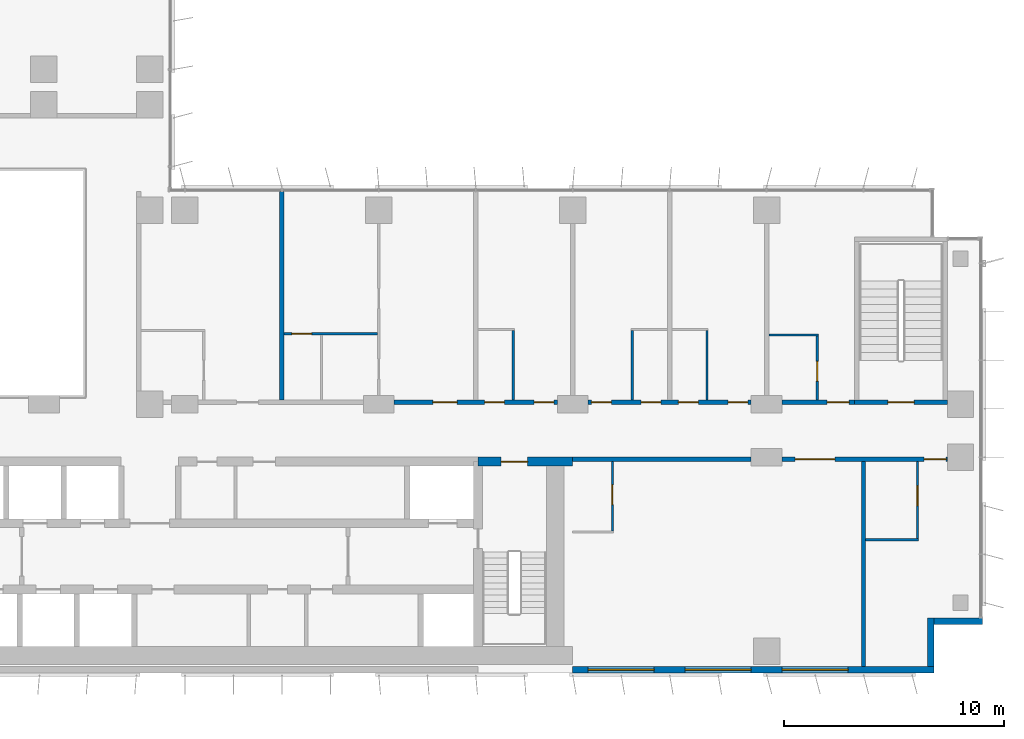
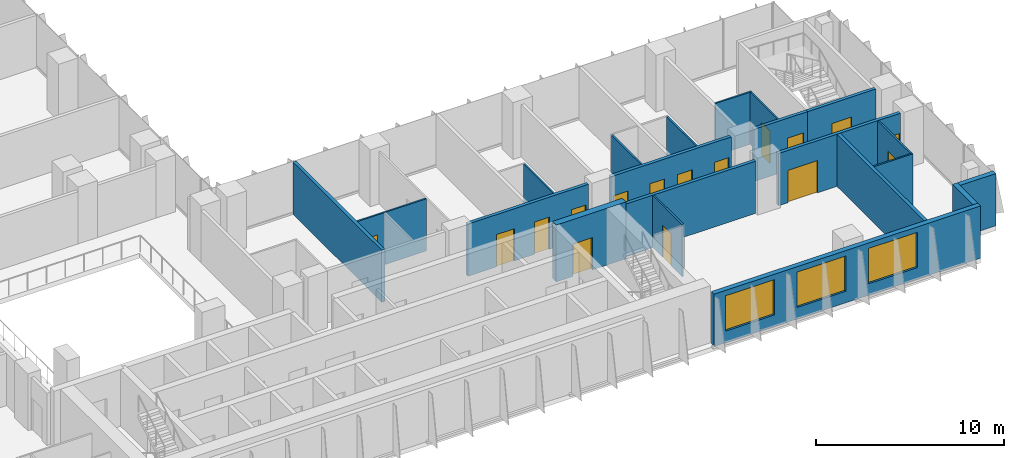
# One storey, part 14 of 22: 21 walls, 16 doors, 3 windows, 19 openings.
"""IFC4 building model written with IfcOpenShell, lengths in metres."""

from ifc_helpers import new_model, si_unit, direction, frame, frame_2d, origin, place, context, subcontext, project, spatial, rectangle, extrude, material, layer, layer_set, type_object, element, fill, save


model = new_model("IFC4")

# Units and contexts
model_context = context("Model", 3, precision=1e-05, world=origin(), true_north=direction((0.0, 1.0)))
body_context = subcontext(model_context, "Body", "Model", "MODEL_VIEW")
ifc_project = project(units=[si_unit("LENGTHUNIT", "METRE"), si_unit("AREAUNIT", "SQUARE_METRE"), si_unit("VOLUMEUNIT", "CUBIC_METRE"), si_unit("PLANEANGLEUNIT", "RADIAN"), si_unit("MASSUNIT", "GRAM", prefix="KILO")], contexts=[model_context])

# Site, building, storey
site_placement = place(None, origin())
site = spatial("IfcSite", under=ifc_project, at=site_placement, CompositionType="ELEMENT")
building_placement = place(site_placement, origin())
building = spatial("IfcBuilding", under=site, at=building_placement, Name="Kemantara Hotel Tower", CompositionType="ELEMENT")
storey_placement = place(building_placement, frame((0.0, 0.0, 145.699951171875)))
storey = spatial("IfcBuildingStorey", under=building, at=storey_placement, Name="L35", CompositionType="ELEMENT", Elevation=145.699951171875)

# Wall, openings, windows
ifc_material_1 = material(Name="Bronze anodised aluminium cladding on insulated steel stud wall", Category="steel")
ifc_layer_1 = layer(ifc_material_1, 0.300048828125)
ifc_layer_set_1 = layer_set([ifc_layer_1], Name="Bronze anodised aluminium cladding on insulated steel stud wall")
wall_type_1 = type_object("IfcWallType", Name="BRONZE METAL-CLAD EXTERNAL WALL 300", PredefinedType="STANDARD", material=ifc_layer_set_1)
wall_1_placement = place(storey_placement, frame((45.0, 0.14990234375, 0.0), z_axis=(0.0, 0.0, 1.0), x_axis=(1.0, 0.0, 0.0)))
wall_1 = element("IfcWall", 1, at=wall_1_placement, inside=storey, type_object=wall_type_1, Name="EXTERNAL WALL L35 T2-R07-3", PredefinedType="STANDARD", context=body_context, shape_type="SweptSolid", body=[
    extrude(rectangle(XDim=16.39990234375, YDim=0.300048828125, at=frame_2d((8.199951171875, 0.0))), origin(), (0.0, 0.0, 1.0), 3.400146484375),
])
opening_1_placement = place(wall_1_placement, frame((0.699951171875, 0.0, 0.75)))
opening_1 = element("IfcOpeningElement", 2, at=opening_1_placement, cuts=wall_1, Name="Opening W1", PredefinedType="OPENING", context=body_context, shape_type="SweptSolid", body=[
    extrude(rectangle(XDim=3.0, YDim=2.300048828125, at=frame_2d((1.5, 1.14990234375))), frame((0.0, 0.159912109375, 0.0), z_axis=(0.0, -1.0, 0.0), x_axis=(1.0, 0.0, 0.0)), (0.0, 0.0, 1.0), 0.320068359375),
])
opening_2_placement = place(wall_1_placement, frame((5.10009765625, 0.0, 0.75)))
opening_2 = element("IfcOpeningElement", 3, at=opening_2_placement, cuts=wall_1, Name="Opening W1", PredefinedType="OPENING", context=body_context, shape_type="SweptSolid", body=[
    extrude(rectangle(XDim=3.0, YDim=2.300048828125, at=frame_2d((1.5, 1.14990234375))), frame((0.0, 0.159912109375, 0.0), z_axis=(0.0, -1.0, 0.0), x_axis=(1.0, 0.0, 0.0)), (0.0, 0.0, 1.0), 0.320068359375),
])
opening_3_placement = place(wall_1_placement, frame((9.5, 0.0, 0.75)))
opening_3 = element("IfcOpeningElement", 4, at=opening_3_placement, cuts=wall_1, Name="Opening W1", PredefinedType="OPENING", context=body_context, shape_type="SweptSolid", body=[
    extrude(rectangle(XDim=3.0, YDim=2.300048828125, at=frame_2d((1.5, 1.14990234375))), frame((0.0, 0.159912109375, 0.0), z_axis=(0.0, -1.0, 0.0), x_axis=(1.0, 0.0, 0.0)), (0.0, 0.0, 1.0), 0.320068359375),
])
ifc_material_2 = material(Name="Low-E tinted double insulated glass in bronze anodised aluminium frame", Category="aluminium")
window_type = type_object("IfcWindowType", Name="CHICAGO WINDOW, TRIPLE PANEL 3000x2300", PartitioningType="TRIPLE_PANEL_VERTICAL", PredefinedType="WINDOW", material=ifc_material_2)
window_1_placement = place(opening_1_placement, origin())
window_1 = element("IfcWindow", 5, at=window_1_placement, inside=storey, type_object=window_type, Name="CHICAGO WINDOW L35 T2-R07-450", OverallHeight=2.300048828125, OverallWidth=3.0, PartitioningType="SINGLE_PANEL", PredefinedType="WINDOW", context=body_context, shape_type="SweptSolid", body=[
    extrude(rectangle(XDim=3.0, YDim=2.300048828125, at=frame_2d((1.5, 1.14990234375))), frame((0.0, 0.030029296875, 0.0), z_axis=(0.0, -1.0, 0.0), x_axis=(1.0, 0.0, 0.0)), (0.0, 0.0, 1.0), 0.06005859375),
])
fill(opening_1, window_1)
window_2_placement = place(opening_2_placement, origin())
window_2 = element("IfcWindow", 6, at=window_2_placement, inside=storey, type_object=window_type, Name="CHICAGO WINDOW L35 T2-R07-494", OverallHeight=2.300048828125, OverallWidth=3.0, PartitioningType="SINGLE_PANEL", PredefinedType="WINDOW", context=body_context, shape_type="SweptSolid", body=[
    extrude(rectangle(XDim=3.0, YDim=2.300048828125, at=frame_2d((1.5, 1.14990234375))), frame((0.0, 0.030029296875, 0.0), z_axis=(0.0, -1.0, 0.0), x_axis=(1.0, 0.0, 0.0)), (0.0, 0.0, 1.0), 0.06005859375),
])
fill(opening_2, window_2)
window_3_placement = place(opening_3_placement, origin())
window_3 = element("IfcWindow", 7, at=window_3_placement, inside=storey, type_object=window_type, Name="CHICAGO WINDOW L35 T2-R07-538", OverallHeight=2.300048828125, OverallWidth=3.0, PartitioningType="SINGLE_PANEL", PredefinedType="WINDOW", context=body_context, shape_type="SweptSolid", body=[
    extrude(rectangle(XDim=3.0, YDim=2.300048828125, at=frame_2d((1.5, 1.14990234375))), frame((0.0, 0.030029296875, 0.0), z_axis=(0.0, -1.0, 0.0), x_axis=(1.0, 0.0, 0.0)), (0.0, 0.0, 1.0), 0.06005859375),
])
fill(opening_3, window_3)

# Walls
wall_2_placement = place(storey_placement, frame((61.25, 0.300048828125, 0.0), z_axis=(0.0, 0.0, 1.0), x_axis=(0.0, 1.0, 0.0)))
element("IfcWall", 8, at=wall_2_placement, inside=storey, type_object=wall_type_1, Name="EXTERNAL WALL L35 T2-R08", PredefinedType="STANDARD", context=body_context, shape_type="SweptSolid", body=[
    extrude(rectangle(XDim=2.199951171875, YDim=0.300048828125, at=frame_2d((1.10009765625, 0.0))), origin(), (0.0, 0.0, 1.0), 3.400146484375),
])
wall_3_placement = place(storey_placement, frame((61.39990234375, 2.35009765625, 0.0), z_axis=(0.0, 0.0, 1.0), x_axis=(1.0, 0.0, 0.0)))
element("IfcWall", 9, at=wall_3_placement, inside=storey, type_object=wall_type_1, Name="EXTERNAL WALL L35 T2-R09", PredefinedType="STANDARD", context=body_context, shape_type="SweptSolid", body=[
    extrude(rectangle(XDim=2.2001953125, YDim=0.300048828125, at=frame_2d((1.10009765625, 0.0))), origin(), (0.0, 0.0, 1.0), 3.400146484375),
])

# Wall, opening, door
ifc_material_3 = material(Name="Concrete fc 60 MPa", Category="concrete")
ifc_layer_2 = layer(ifc_material_3, 0.39990234375)
ifc_layer_set_2 = layer_set([ifc_layer_2], Name="Concrete fc 60 MPa")
wall_type_2 = type_object("IfcWallType", Name="CORE WALL 400 FC60", PredefinedType="SHEAR", material=ifc_layer_set_2)
wall_4_placement = place(storey_placement, frame((40.699951171875, 9.60009765625, 0.0), z_axis=(0.0, 0.0, 1.0), x_axis=(1.0, 0.0, 0.0)))
wall_4 = element("IfcWall", 10, at=wall_4_placement, inside=storey, type_object=wall_type_2, Name="CORE WALL CW-N2", PredefinedType="SHEAR", context=body_context, shape_type="SweptSolid", body=[
    extrude(rectangle(XDim=4.300048828125, YDim=0.39990234375, at=frame_2d((2.14990234375, 0.0))), origin(), (0.0, 0.0, 1.0), 3.699951171875),
])
opening_4_placement = place(wall_4_placement, frame((1.050048828125, 0.0, 0.0)))
opening_4 = element("IfcOpeningElement", 11, at=opening_4_placement, cuts=wall_4, Name="Opening C22-ST2-C", PredefinedType="OPENING", context=body_context, shape_type="SweptSolid", body=[
    extrude(rectangle(XDim=1.199951171875, YDim=2.10009765625, at=frame_2d((0.60009765625, 1.050048828125))), frame((0.0, 0.2099609375, 0.0), z_axis=(0.0, -1.0, 0.0), x_axis=(1.0, 0.0, 0.0)), (0.0, 0.0, 1.0), 0.419921875),
])
ifc_material_4 = material(Name="Steel fire door", Category="steel")
door_type_1 = type_object("IfcDoorType", Name="Fire door FD90 1200 x 2100", OperationType="NOTDEFINED", PredefinedType="DOOR", material=ifc_material_4)
door_1_placement = place(opening_4_placement, frame((1.199951171875, 0.0, 0.0), z_axis=(0.0, 0.0, 1.0), x_axis=(-1.0, 0.0, 0.0)))
door_1 = element("IfcDoor", 12, at=door_1_placement, inside=storey, type_object=door_type_1, Name="Stair ST2 door to corridor", OperationType="SINGLE_SWING_RIGHT", OverallHeight=2.10009765625, OverallWidth=1.199951171875, PredefinedType="DOOR", context=body_context, shape_type="SweptSolid", body=[
    extrude(rectangle(XDim=1.199951171875, YDim=2.10009765625, at=frame_2d((0.60009765625, 1.050048828125))), frame((0.0, 0.02490234375, 0.0), z_axis=(0.0, -1.0, 0.0), x_axis=(1.0, 0.0, 0.0)), (0.0, 0.0, 1.0), 0.050048828125),
])
fill(opening_4, door_1)

# Wall
ifc_material_5 = material(Name="Gypsum board partition, steel studs and mineral wool, 200 mm", Category="steel")
ifc_layer_3 = layer(ifc_material_5, 0.199951171875)
ifc_layer_set_3 = layer_set([ifc_layer_3], Name="Gypsum board partition, steel studs and mineral wool, 200 mm")
wall_type_3 = type_object("IfcWallType", Name="CORRIDOR WALL 200", PredefinedType="PARTITIONING", material=ifc_layer_set_3)
wall_5_placement = place(storey_placement, frame((45.0, 9.699951171875, 0.0), z_axis=(0.0, 0.0, 1.0), x_axis=(1.0, 0.0, 0.0)))
element("IfcWall", 13, at=wall_5_placement, inside=storey, type_object=wall_type_3, Name="CORRIDOR WALL 200 001", PredefinedType="PARTITIONING", context=body_context, shape_type="SweptSolid", body=[
    extrude(rectangle(XDim=8.099853515625, YDim=0.199951171875, at=frame_2d((4.0498046875, 0.0))), origin(), (0.0, 0.0, 1.0), 3.400146484375),
])

# Wall, openings, doors
wall_6_placement = place(storey_placement, frame((62.0, 9.699951171875, 0.0), z_axis=(0.0, 0.0, 1.0), x_axis=(-1.0, 0.0, 0.0)))
wall_6 = element("IfcWall", 14, at=wall_6_placement, inside=storey, type_object=wall_type_3, Name="CORRIDOR WALL 200 002", PredefinedType="PARTITIONING", context=body_context, shape_type="SweptSolid", body=[
    extrude(rectangle(XDim=7.5, YDim=0.199951171875, at=frame_2d((3.75, 0.0))), origin(), (0.0, 0.0, 1.0), 3.400146484375),
])
opening_5_placement = place(wall_6_placement, frame((5.099853515625, 0.0, 0.0)))
opening_5 = element("IfcOpeningElement", 15, at=opening_5_placement, cuts=wall_6, Name="Opening F16-001", PredefinedType="OPENING", context=body_context, shape_type="SweptSolid", body=[
    extrude(rectangle(XDim=1.800048828125, YDim=2.10009765625, at=frame_2d((0.89990234375, 1.050048828125))), frame((0.0, 0.10986328125, 0.0), z_axis=(0.0, -1.0, 0.0), x_axis=(1.0, 0.0, 0.0)), (0.0, 0.0, 1.0), 0.219970703125),
])
opening_6_placement = place(wall_6_placement, frame((0.0498046875, 0.0, 0.0)))
opening_6 = element("IfcOpeningElement", 16, at=opening_6_placement, cuts=wall_6, Name="Opening F16-003", PredefinedType="OPENING", context=body_context, shape_type="SweptSolid", body=[
    extrude(rectangle(XDim=1.0, YDim=2.10009765625, at=frame_2d((0.5, 1.050048828125))), frame((0.0, 0.10986328125, 0.0), z_axis=(0.0, -1.0, 0.0), x_axis=(1.0, 0.0, 0.0)), (0.0, 0.0, 1.0), 0.219970703125),
])
ifc_material_6 = material(Name="Hardwood veneer door leaf with steel frame", Category="steel")
door_type_2 = type_object("IfcDoorType", Name="GUEST ROOM DOOR 1000 X 2100 FD30S", OperationType="NOTDEFINED", PredefinedType="DOOR", material=ifc_material_6)
door_2_placement = place(opening_6_placement, origin())
door_2 = element("IfcDoor", 17, at=door_2_placement, inside=storey, type_object=door_type_2, Name="GUEST ROOM DOOR F16-003", OperationType="SINGLE_SWING_LEFT", OverallHeight=2.10009765625, OverallWidth=1.0, PredefinedType="DOOR", context=body_context, shape_type="SweptSolid", body=[
    extrude(rectangle(XDim=1.0, YDim=2.10009765625, at=frame_2d((0.5, 1.050048828125))), frame((0.0, 0.02490234375, 0.0), z_axis=(0.0, -1.0, 0.0), x_axis=(1.0, 0.0, 0.0)), (0.0, 0.0, 1.0), 0.050048828125),
])
fill(opening_6, door_2)
door_type_3 = type_object("IfcDoorType", Name="GUEST ROOM DOOR 1800 X 2100 FD30S", OperationType="NOTDEFINED", PredefinedType="DOOR", material=ifc_material_6)
door_3_placement = place(opening_5_placement, origin())
door_3 = element("IfcDoor", 18, at=door_3_placement, inside=storey, type_object=door_type_3, Name="GUEST ROOM DOOR F16-001", OperationType="DOUBLE_DOOR_SINGLE_SWING", OverallHeight=2.10009765625, OverallWidth=1.800048828125, PredefinedType="DOOR", context=body_context, shape_type="SweptSolid", body=[
    extrude(rectangle(XDim=1.800048828125, YDim=2.10009765625, at=frame_2d((0.89990234375, 1.050048828125))), frame((0.0, 0.02490234375, 0.0), z_axis=(0.0, -1.0, 0.0), x_axis=(1.0, 0.0, 0.0)), (0.0, 0.0, 1.0), 0.050048828125),
])
fill(opening_5, door_3)

wall_7_placement = place(storey_placement, frame((36.900146484375, 12.300048828125, 0.0), z_axis=(0.0, 0.0, 1.0), x_axis=(1.0, 0.0, 0.0)))
wall_7 = element("IfcWall", 19, at=wall_7_placement, inside=storey, type_object=wall_type_3, Name="CORRIDOR WALL 200 006", PredefinedType="PARTITIONING", context=body_context, shape_type="SweptSolid", body=[
    extrude(rectangle(XDim=7.399658203125, YDim=0.199951171875, at=frame_2d((3.69970703125, 0.0))), origin(), (0.0, 0.0, 1.0), 3.400146484375),
])
opening_7_placement = place(wall_7_placement, frame((1.75, 0.0, 0.0)))
opening_7 = element("IfcOpeningElement", 20, at=opening_7_placement, cuts=wall_7, Name="Opening F16-007", PredefinedType="OPENING", context=body_context, shape_type="SweptSolid", body=[
    extrude(rectangle(XDim=1.10009765625, YDim=2.10009765625, at=frame_2d((0.550048828125, 1.050048828125))), frame((0.0, 0.10986328125, 0.0), z_axis=(0.0, -1.0, 0.0), x_axis=(1.0, 0.0, 0.0)), (0.0, 0.0, 1.0), 0.219970703125),
])
opening_8_placement = place(wall_7_placement, frame((6.349853515625, 0.0, 0.0)))
opening_8 = element("IfcOpeningElement", 21, at=opening_8_placement, cuts=wall_7, Name="Opening F16-011", PredefinedType="OPENING", context=body_context, shape_type="SweptSolid", body=[
    extrude(rectangle(XDim=0.89990234375, YDim=2.10009765625, at=frame_2d((0.449951171875, 1.050048828125))), frame((0.0, 0.10986328125, 0.0), z_axis=(0.0, -1.0, 0.0), x_axis=(1.0, 0.0, 0.0)), (0.0, 0.0, 1.0), 0.219970703125),
])
opening_9_placement = place(wall_7_placement, frame((4.099853515625, 0.0, 0.0)))
opening_9 = element("IfcOpeningElement", 22, at=opening_9_placement, cuts=wall_7, Name="Opening F16-012", PredefinedType="OPENING", context=body_context, shape_type="SweptSolid", body=[
    extrude(rectangle(XDim=0.89990234375, YDim=2.10009765625, at=frame_2d((0.449951171875, 1.050048828125))), frame((0.0, 0.10986328125, 0.0), z_axis=(0.0, -1.0, 0.0), x_axis=(1.0, 0.0, 0.0)), (0.0, 0.0, 1.0), 0.219970703125),
])
ifc_material_7 = material(Name="Steel door leaf with steel frame", Category="steel")
door_type_4 = type_object("IfcDoorType", Name="SERVICE ROOM DOOR 900 X 2100 FD60", OperationType="NOTDEFINED", PredefinedType="DOOR", material=ifc_material_7)
door_4_placement = place(opening_8_placement, origin())
door_4 = element("IfcDoor", 23, at=door_4_placement, inside=storey, type_object=door_type_4, Name="SERVICE ROOM DOOR F16-011", OperationType="SINGLE_SWING_RIGHT", OverallHeight=2.10009765625, OverallWidth=0.89990234375, PredefinedType="DOOR", context=body_context, shape_type="SweptSolid", body=[
    extrude(rectangle(XDim=0.89990234375, YDim=2.10009765625, at=frame_2d((0.449951171875, 1.050048828125))), frame((0.0, 0.02490234375, 0.0), z_axis=(0.0, -1.0, 0.0), x_axis=(1.0, 0.0, 0.0)), (0.0, 0.0, 1.0), 0.050048828125),
])
fill(opening_8, door_4)
door_5_placement = place(opening_9_placement, origin())
door_5 = element("IfcDoor", 24, at=door_5_placement, inside=storey, type_object=door_type_4, Name="SERVICE ROOM DOOR F16-012", OperationType="SINGLE_SWING_LEFT", OverallHeight=2.10009765625, OverallWidth=0.89990234375, PredefinedType="DOOR", context=body_context, shape_type="SweptSolid", body=[
    extrude(rectangle(XDim=0.89990234375, YDim=2.10009765625, at=frame_2d((0.449951171875, 1.050048828125))), frame((0.0, 0.02490234375, 0.0), z_axis=(0.0, -1.0, 0.0), x_axis=(1.0, 0.0, 0.0)), (0.0, 0.0, 1.0), 0.050048828125),
])
fill(opening_9, door_5)
door_type_5 = type_object("IfcDoorType", Name="SUITE ENTRANCE DOOR 1100 X 2100 FD30S", OperationType="NOTDEFINED", PredefinedType="DOOR", material=ifc_material_6)
door_6_placement = place(opening_7_placement, origin())
door_6 = element("IfcDoor", 25, at=door_6_placement, inside=storey, type_object=door_type_5, Name="SUITE ENTRANCE DOOR F16-007", OperationType="SINGLE_SWING_RIGHT", OverallHeight=2.10009765625, OverallWidth=1.10009765625, PredefinedType="DOOR", context=body_context, shape_type="SweptSolid", body=[
    extrude(rectangle(XDim=1.10009765625, YDim=2.10009765625, at=frame_2d((0.550048828125, 1.050048828125))), frame((0.0, 0.02490234375, 0.0), z_axis=(0.0, -1.0, 0.0), x_axis=(1.0, 0.0, 0.0)), (0.0, 0.0, 1.0), 0.050048828125),
])
fill(opening_7, door_6)

wall_8_placement = place(storey_placement, frame((45.7001953125, 12.300048828125, 0.0), z_axis=(0.0, 0.0, 1.0), x_axis=(1.0, 0.0, 0.0)))
wall_8 = element("IfcWall", 26, at=wall_8_placement, inside=storey, type_object=wall_type_3, Name="CORRIDOR WALL 200 007", PredefinedType="PARTITIONING", context=body_context, shape_type="SweptSolid", body=[
    extrude(rectangle(XDim=7.399658203125, YDim=0.199951171875, at=frame_2d((3.69970703125, 0.0))), origin(), (0.0, 0.0, 1.0), 3.400146484375),
])
opening_10_placement = place(wall_8_placement, frame((0.14990234375, 0.0, 0.0)))
opening_10 = element("IfcOpeningElement", 27, at=opening_10_placement, cuts=wall_8, Name="Opening F16-013", PredefinedType="OPENING", context=body_context, shape_type="SweptSolid", body=[
    extrude(rectangle(XDim=0.89990234375, YDim=2.10009765625, at=frame_2d((0.449951171875, 1.050048828125))), frame((0.0, 0.10986328125, 0.0), z_axis=(0.0, -1.0, 0.0), x_axis=(1.0, 0.0, 0.0)), (0.0, 0.0, 1.0), 0.219970703125),
])
opening_11_placement = place(wall_8_placement, frame((2.39990234375, 0.0, 0.0)))
opening_11 = element("IfcOpeningElement", 28, at=opening_11_placement, cuts=wall_8, Name="Opening F16-014", PredefinedType="OPENING", context=body_context, shape_type="SweptSolid", body=[
    extrude(rectangle(XDim=0.89990234375, YDim=2.10009765625, at=frame_2d((0.449951171875, 1.050048828125))), frame((0.0, 0.10986328125, 0.0), z_axis=(0.0, -1.0, 0.0), x_axis=(1.0, 0.0, 0.0)), (0.0, 0.0, 1.0), 0.219970703125),
])
opening_12_placement = place(wall_8_placement, frame((6.349853515625, 0.0, 0.0)))
opening_12 = element("IfcOpeningElement", 29, at=opening_12_placement, cuts=wall_8, Name="Opening F16-015", PredefinedType="OPENING", context=body_context, shape_type="SweptSolid", body=[
    extrude(rectangle(XDim=0.89990234375, YDim=2.10009765625, at=frame_2d((0.449951171875, 1.050048828125))), frame((0.0, 0.10986328125, 0.0), z_axis=(0.0, -1.0, 0.0), x_axis=(1.0, 0.0, 0.0)), (0.0, 0.0, 1.0), 0.219970703125),
])
opening_13_placement = place(wall_8_placement, frame((4.099853515625, 0.0, 0.0)))
opening_13 = element("IfcOpeningElement", 30, at=opening_13_placement, cuts=wall_8, Name="Opening F16-016", PredefinedType="OPENING", context=body_context, shape_type="SweptSolid", body=[
    extrude(rectangle(XDim=0.89990234375, YDim=2.10009765625, at=frame_2d((0.449951171875, 1.050048828125))), frame((0.0, 0.10986328125, 0.0), z_axis=(0.0, -1.0, 0.0), x_axis=(1.0, 0.0, 0.0)), (0.0, 0.0, 1.0), 0.219970703125),
])
door_7_placement = place(opening_10_placement, origin())
door_7 = element("IfcDoor", 31, at=door_7_placement, inside=storey, type_object=door_type_4, Name="SERVICE ROOM DOOR F16-013", OperationType="SINGLE_SWING_LEFT", OverallHeight=2.10009765625, OverallWidth=0.89990234375, PredefinedType="DOOR", context=body_context, shape_type="SweptSolid", body=[
    extrude(rectangle(XDim=0.89990234375, YDim=2.10009765625, at=frame_2d((0.449951171875, 1.050048828125))), frame((0.0, 0.02490234375, 0.0), z_axis=(0.0, -1.0, 0.0), x_axis=(1.0, 0.0, 0.0)), (0.0, 0.0, 1.0), 0.050048828125),
])
fill(opening_10, door_7)
door_8_placement = place(opening_11_placement, origin())
door_8 = element("IfcDoor", 32, at=door_8_placement, inside=storey, type_object=door_type_4, Name="SERVICE ROOM DOOR F16-014", OperationType="SINGLE_SWING_RIGHT", OverallHeight=2.10009765625, OverallWidth=0.89990234375, PredefinedType="DOOR", context=body_context, shape_type="SweptSolid", body=[
    extrude(rectangle(XDim=0.89990234375, YDim=2.10009765625, at=frame_2d((0.449951171875, 1.050048828125))), frame((0.0, 0.02490234375, 0.0), z_axis=(0.0, -1.0, 0.0), x_axis=(1.0, 0.0, 0.0)), (0.0, 0.0, 1.0), 0.050048828125),
])
fill(opening_11, door_8)
door_9_placement = place(opening_12_placement, origin())
door_9 = element("IfcDoor", 33, at=door_9_placement, inside=storey, type_object=door_type_4, Name="SERVICE ROOM DOOR F16-015", OperationType="SINGLE_SWING_RIGHT", OverallHeight=2.10009765625, OverallWidth=0.89990234375, PredefinedType="DOOR", context=body_context, shape_type="SweptSolid", body=[
    extrude(rectangle(XDim=0.89990234375, YDim=2.10009765625, at=frame_2d((0.449951171875, 1.050048828125))), frame((0.0, 0.02490234375, 0.0), z_axis=(0.0, -1.0, 0.0), x_axis=(1.0, 0.0, 0.0)), (0.0, 0.0, 1.0), 0.050048828125),
])
fill(opening_12, door_9)
door_10_placement = place(opening_13_placement, origin())
door_10 = element("IfcDoor", 34, at=door_10_placement, inside=storey, type_object=door_type_4, Name="SERVICE ROOM DOOR F16-016", OperationType="SINGLE_SWING_LEFT", OverallHeight=2.10009765625, OverallWidth=0.89990234375, PredefinedType="DOOR", context=body_context, shape_type="SweptSolid", body=[
    extrude(rectangle(XDim=0.89990234375, YDim=2.10009765625, at=frame_2d((0.449951171875, 1.050048828125))), frame((0.0, 0.02490234375, 0.0), z_axis=(0.0, -1.0, 0.0), x_axis=(1.0, 0.0, 0.0)), (0.0, 0.0, 1.0), 0.050048828125),
])
fill(opening_13, door_10)

# Wall, opening, door
wall_9_placement = place(storey_placement, frame((54.5, 12.300048828125, 0.0), z_axis=(0.0, 0.0, 1.0), x_axis=(1.0, 0.0, 0.0)))
wall_9 = element("IfcWall", 35, at=wall_9_placement, inside=storey, type_object=wall_type_3, Name="CORRIDOR WALL 200 008", PredefinedType="PARTITIONING", context=body_context, shape_type="SweptSolid", body=[
    extrude(rectangle(XDim=3.300048828125, YDim=0.199951171875, at=frame_2d((1.64990234375, 0.0))), origin(), (0.0, 0.0, 1.0), 3.400146484375),
])
opening_14_placement = place(wall_9_placement, frame((2.0498046875, 0.0, 0.0)))
opening_14 = element("IfcOpeningElement", 36, at=opening_14_placement, cuts=wall_9, Name="Opening F16-017", PredefinedType="OPENING", context=body_context, shape_type="SweptSolid", body=[
    extrude(rectangle(XDim=1.0, YDim=2.10009765625, at=frame_2d((0.5, 1.050048828125))), frame((0.0, 0.10986328125, 0.0), z_axis=(0.0, -1.0, 0.0), x_axis=(1.0, 0.0, 0.0)), (0.0, 0.0, 1.0), 0.219970703125),
])
door_11_placement = place(opening_14_placement, origin())
door_11 = element("IfcDoor", 37, at=door_11_placement, inside=storey, type_object=door_type_2, Name="GUEST ROOM DOOR F16-017", OperationType="SINGLE_SWING_RIGHT", OverallHeight=2.10009765625, OverallWidth=1.0, PredefinedType="DOOR", context=body_context, shape_type="SweptSolid", body=[
    extrude(rectangle(XDim=1.0, YDim=2.10009765625, at=frame_2d((0.5, 1.050048828125))), frame((0.0, 0.02490234375, 0.0), z_axis=(0.0, -1.0, 0.0), x_axis=(1.0, 0.0, 0.0)), (0.0, 0.0, 1.0), 0.050048828125),
])
fill(opening_14, door_11)

ifc_material_8 = material(Name="Concrete fc 40 MPa", Category="concrete")
ifc_layer_4 = layer(ifc_material_8, 0.199951171875)
ifc_layer_set_4 = layer_set([ifc_layer_4], Name="Concrete fc 40 MPa")
wall_type_4 = type_object("IfcWallType", Name="Concrete stair wall 200 mm", PredefinedType="SHEAR", material=ifc_layer_set_4)
wall_10_placement = place(storey_placement, frame((57.800048828125, 12.300048828125, 0.0), z_axis=(0.0, 0.0, 1.0), x_axis=(1.0, 0.0, 0.0)))
wall_10 = element("IfcWall", 38, at=wall_10_placement, inside=storey, type_object=wall_type_4, Name="Stair ST3 enclosure wall with door", PredefinedType="SHEAR", context=body_context, shape_type="SweptSolid", body=[
    extrude(rectangle(XDim=4.199951171875, YDim=0.199951171875, at=frame_2d((2.10009765625, 0.0))), origin(), (0.0, 0.0, 1.0), 3.400146484375),
])
opening_15_placement = place(wall_10_placement, frame((1.5, 0.0, 0.0)))
opening_15 = element("IfcOpeningElement", 39, at=opening_15_placement, cuts=wall_10, Name="Opening ST3-C", PredefinedType="OPENING", context=body_context, shape_type="SweptSolid", body=[
    extrude(rectangle(XDim=1.199951171875, YDim=2.10009765625, at=frame_2d((0.60009765625, 1.050048828125))), frame((0.0, 0.10986328125, 0.0), z_axis=(0.0, -1.0, 0.0), x_axis=(1.0, 0.0, 0.0)), (0.0, 0.0, 1.0), 0.219970703125),
])
door_12_placement = place(opening_15_placement, origin())
door_12 = element("IfcDoor", 40, at=door_12_placement, inside=storey, type_object=door_type_1, Name="Stair ST3 door", OperationType="SINGLE_SWING_RIGHT", OverallHeight=2.10009765625, OverallWidth=1.199951171875, PredefinedType="DOOR", context=body_context, shape_type="SweptSolid", body=[
    extrude(rectangle(XDim=1.199951171875, YDim=2.10009765625, at=frame_2d((0.60009765625, 1.050048828125))), frame((0.0, 0.02490234375, 0.0), z_axis=(0.0, -1.0, 0.0), x_axis=(1.0, 0.0, 0.0)), (0.0, 0.0, 1.0), 0.050048828125),
])
fill(opening_15, door_12)

# Walls
ifc_layer_5 = layer(ifc_material_5, 0.199951171875)
ifc_layer_set_5 = layer_set([ifc_layer_5], Name="Gypsum board partition, steel studs and mineral wool, 200 mm")
wall_type_5 = type_object("IfcWallType", Name="GUEST ROOM PARTY WALL 200", PredefinedType="PARTITIONING", material=ifc_layer_set_5)
wall_11_placement = place(storey_placement, frame((58.199951171875, 0.31005859375, 0.0), z_axis=(0.0, 0.0, 1.0), x_axis=(0.0, 1.0, 0.0)))
element("IfcWall", 41, at=wall_11_placement, inside=storey, type_object=wall_type_5, Name="GUEST ROOM PARTY WALL 200 003", PredefinedType="PARTITIONING", context=body_context, shape_type="SweptSolid", body=[
    extrude(rectangle(XDim=9.2900390625, YDim=0.199951171875, at=frame_2d((4.64501953125, 0.0))), origin(), (0.0, 0.0, 1.0), 3.400146484375),
])
wall_12_placement = place(storey_placement, frame((31.800048828125, 12.39990234375, 0.0), z_axis=(0.0, 0.0, 1.0), x_axis=(0.0, 1.0, 0.0)))
element("IfcWall", 42, at=wall_12_placement, inside=storey, type_object=wall_type_5, Name="GUEST ROOM PARTY WALL 200 011", PredefinedType="PARTITIONING", context=body_context, shape_type="SweptSolid", body=[
    extrude(rectangle(XDim=9.47021484375, YDim=0.199951171875, at=frame_2d((4.735107421875, 0.0))), origin(), (0.0, 0.0, 1.0), 3.400146484375),
])

# Wall, opening, door
ifc_material_9 = material(Name="Gypsum board partition on steel studs, 100 mm", Category="steel")
ifc_layer_6 = layer(ifc_material_9, 0.10009765625)
ifc_layer_set_6 = layer_set([ifc_layer_6], Name="Gypsum board partition on steel studs, 100 mm")
wall_type_6 = type_object("IfcWallType", Name="ROOM PARTITION 100", PredefinedType="PARTITIONING", material=ifc_layer_set_6)
wall_13_placement = place(storey_placement, frame((46.800048828125, 6.449951171875, 0.0), z_axis=(0.0, 0.0, 1.0), x_axis=(0.0, 1.0, 0.0)))
wall_13 = element("IfcWall", 43, at=wall_13_placement, inside=storey, type_object=wall_type_6, Name="ROOM PARTITION 100 046", PredefinedType="PARTITIONING", context=body_context, shape_type="SweptSolid", body=[
    extrude(rectangle(XDim=3.150146484375, YDim=0.10009765625, at=frame_2d((1.5751953125, 0.0))), origin(), (0.0, 0.0, 1.0), 3.400146484375),
])
opening_16_placement = place(wall_13_placement, frame((1.199951171875, 0.0, 0.0)))
opening_16 = element("IfcOpeningElement", 44, at=opening_16_placement, cuts=wall_13, Name="Opening F16-002", PredefinedType="OPENING", context=body_context, shape_type="SweptSolid", body=[
    extrude(rectangle(XDim=0.89990234375, YDim=2.10009765625, at=frame_2d((0.449951171875, 1.050048828125))), frame((0.0, 0.06005859375, 0.0), z_axis=(0.0, -1.0, 0.0), x_axis=(1.0, 0.0, 0.0)), (0.0, 0.0, 1.0), 0.1201171875),
])
door_type_6 = type_object("IfcDoorType", Name="PANTRY DOOR 900 X 2100", OperationType="NOTDEFINED", PredefinedType="DOOR", material=ifc_material_6)
door_13_placement = place(opening_16_placement, origin())
door_13 = element("IfcDoor", 45, at=door_13_placement, inside=storey, type_object=door_type_6, Name="PANTRY DOOR F16-002", OperationType="SINGLE_SWING_RIGHT", OverallHeight=2.10009765625, OverallWidth=0.89990234375, PredefinedType="DOOR", context=body_context, shape_type="SweptSolid", body=[
    extrude(rectangle(XDim=0.89990234375, YDim=2.10009765625, at=frame_2d((0.449951171875, 1.050048828125))), frame((0.0, 0.02490234375, 0.0), z_axis=(0.0, -1.0, 0.0), x_axis=(1.0, 0.0, 0.0)), (0.0, 0.0, 1.0), 0.050048828125),
])
fill(opening_16, door_13)

# Wall
wall_14_placement = place(storey_placement, frame((58.300048828125, 6.050048828125, 0.0), z_axis=(0.0, 0.0, 1.0), x_axis=(1.0, 0.0, 0.0)))
element("IfcWall", 46, at=wall_14_placement, inside=storey, type_object=wall_type_6, Name="ROOM PARTITION 100 047", PredefinedType="PARTITIONING", context=body_context, shape_type="SweptSolid", body=[
    extrude(rectangle(XDim=2.39990234375, YDim=0.10009765625, at=frame_2d((1.199951171875, 0.0))), origin(), (0.0, 0.0, 1.0), 3.400146484375),
])

# Wall, opening, door
wall_15_placement = place(storey_placement, frame((60.64990234375, 6.10009765625, 0.0), z_axis=(0.0, 0.0, 1.0), x_axis=(0.0, 1.0, 0.0)))
wall_15 = element("IfcWall", 47, at=wall_15_placement, inside=storey, type_object=wall_type_6, Name="ROOM PARTITION 100 048", PredefinedType="PARTITIONING", context=body_context, shape_type="SweptSolid", body=[
    extrude(rectangle(XDim=3.5, YDim=0.10009765625, at=frame_2d((1.75, 0.0))), origin(), (0.0, 0.0, 1.0), 3.400146484375),
])
opening_17_placement = place(wall_15_placement, frame((1.5, 0.0, 0.0)))
opening_17 = element("IfcOpeningElement", 48, at=opening_17_placement, cuts=wall_15, Name="Opening F16-004", PredefinedType="OPENING", context=body_context, shape_type="SweptSolid", body=[
    extrude(rectangle(XDim=0.89990234375, YDim=2.10009765625, at=frame_2d((0.449951171875, 1.050048828125))), frame((0.0, 0.06005859375, 0.0), z_axis=(0.0, -1.0, 0.0), x_axis=(1.0, 0.0, 0.0)), (0.0, 0.0, 1.0), 0.1201171875),
])
door_type_7 = type_object("IfcDoorType", Name="BATHROOM DOOR 900 X 2100", OperationType="NOTDEFINED", PredefinedType="DOOR", material=ifc_material_6)
door_14_placement = place(opening_17_placement, origin())
door_14 = element("IfcDoor", 49, at=door_14_placement, inside=storey, type_object=door_type_7, Name="BATHROOM DOOR F16-004", OperationType="SINGLE_SWING_RIGHT", OverallHeight=2.10009765625, OverallWidth=0.89990234375, PredefinedType="DOOR", context=body_context, shape_type="SweptSolid", body=[
    extrude(rectangle(XDim=0.89990234375, YDim=2.10009765625, at=frame_2d((0.449951171875, 1.050048828125))), frame((0.0, 0.02490234375, 0.0), z_axis=(0.0, -1.0, 0.0), x_axis=(1.0, 0.0, 0.0)), (0.0, 0.0, 1.0), 0.050048828125),
])
fill(opening_17, door_14)

wall_16_placement = place(storey_placement, frame((36.14990234375, 15.39990234375, 0.0), z_axis=(0.0, 0.0, 1.0), x_axis=(-1.0, 0.0, 0.0)))
wall_16 = element("IfcWall", 50, at=wall_16_placement, inside=storey, type_object=wall_type_6, Name="ROOM PARTITION 100 051", PredefinedType="PARTITIONING", context=body_context, shape_type="SweptSolid", body=[
    extrude(rectangle(XDim=4.25, YDim=0.10009765625, at=frame_2d((2.125, 0.0))), origin(), (0.0, 0.0, 1.0), 3.400146484375),
])
opening_18_placement = place(wall_16_placement, frame((3.0, 0.0, 0.0)))
opening_18 = element("IfcOpeningElement", 51, at=opening_18_placement, cuts=wall_16, Name="Opening F16-010", PredefinedType="OPENING", context=body_context, shape_type="SweptSolid", body=[
    extrude(rectangle(XDim=0.89990234375, YDim=2.10009765625, at=frame_2d((0.449951171875, 1.050048828125))), frame((0.0, 0.06005859375, 0.0), z_axis=(0.0, -1.0, 0.0), x_axis=(1.0, 0.0, 0.0)), (0.0, 0.0, 1.0), 0.1201171875),
])
door_15_placement = place(opening_18_placement, origin())
door_15 = element("IfcDoor", 52, at=door_15_placement, inside=storey, type_object=door_type_7, Name="BATHROOM DOOR F16-010", OperationType="SINGLE_SWING_LEFT", OverallHeight=2.10009765625, OverallWidth=0.89990234375, PredefinedType="DOOR", context=body_context, shape_type="SweptSolid", body=[
    extrude(rectangle(XDim=0.89990234375, YDim=2.10009765625, at=frame_2d((0.449951171875, 1.050048828125))), frame((0.0, 0.02490234375, 0.0), z_axis=(0.0, -1.0, 0.0), x_axis=(1.0, 0.0, 0.0)), (0.0, 0.0, 1.0), 0.050048828125),
])
fill(opening_18, door_15)

# Walls
for number, where, z_axis, x_axis, name in (
    (53, (42.300048828125, 12.39990234375, 0.0), (0.0, 0.0, 1.0), (0.0, 1.0, 0.0), "ROOM PARTITION 100 057"),
    (54, (47.699951171875, 12.39990234375, 0.0), (0.0, 0.0, 1.0), (0.0, 1.0, 0.0), "ROOM PARTITION 100 058"),
    (55, (51.10009765625, 12.39990234375, 0.0), (0.0, 0.0, 1.0), (0.0, 1.0, 0.0), "ROOM PARTITION 100 059"),
):
    element("IfcWall", number, at=place(storey_placement, frame(where, z_axis=z_axis, x_axis=x_axis)), inside=storey, type_object=wall_type_6, Name=name, PredefinedType="PARTITIONING", context=body_context, shape_type="SweptSolid", body=[
        extrude(rectangle(XDim=3.150146484375, YDim=0.10009765625, at=frame_2d((1.5751953125, 0.0))), origin(), (0.0, 0.0, 1.0), 3.400146484375),
    ])
wall_17_placement = place(storey_placement, frame((53.89990234375, 15.35009765625, 0.0), z_axis=(0.0, 0.0, 1.0), x_axis=(1.0, 0.0, 0.0)))
element("IfcWall", 56, at=wall_17_placement, inside=storey, type_object=wall_type_6, Name="ROOM PARTITION 100 060", PredefinedType="PARTITIONING", context=body_context, shape_type="SweptSolid", body=[
    extrude(rectangle(XDim=2.25, YDim=0.10009765625, at=frame_2d((1.125, 0.0))), origin(), (0.0, 0.0, 1.0), 3.400146484375),
])

# Wall, opening, door
wall_18_placement = place(storey_placement, frame((56.10009765625, 12.39990234375, 0.0), z_axis=(0.0, 0.0, 1.0), x_axis=(0.0, 1.0, 0.0)))
wall_18 = element("IfcWall", 57, at=wall_18_placement, inside=storey, type_object=wall_type_6, Name="ROOM PARTITION 100 061", PredefinedType="PARTITIONING", context=body_context, shape_type="SweptSolid", body=[
    extrude(rectangle(XDim=2.900146484375, YDim=0.10009765625, at=frame_2d((1.4501953125, 0.0))), origin(), (0.0, 0.0, 1.0), 3.400146484375),
])
opening_19_placement = place(wall_18_placement, frame((0.85009765625, 0.0, 0.0)))
opening_19 = element("IfcOpeningElement", 58, at=opening_19_placement, cuts=wall_18, Name="Opening F16-018", PredefinedType="OPENING", context=body_context, shape_type="SweptSolid", body=[
    extrude(rectangle(XDim=0.89990234375, YDim=2.10009765625, at=frame_2d((0.449951171875, 1.050048828125))), frame((0.0, 0.06005859375, 0.0), z_axis=(0.0, -1.0, 0.0), x_axis=(1.0, 0.0, 0.0)), (0.0, 0.0, 1.0), 0.1201171875),
])
door_16_placement = place(opening_19_placement, origin())
door_16 = element("IfcDoor", 59, at=door_16_placement, inside=storey, type_object=door_type_7, Name="BATHROOM DOOR F16-018", OperationType="SINGLE_SWING_LEFT", OverallHeight=2.10009765625, OverallWidth=0.89990234375, PredefinedType="DOOR", context=body_context, shape_type="SweptSolid", body=[
    extrude(rectangle(XDim=0.89990234375, YDim=2.10009765625, at=frame_2d((0.449951171875, 1.050048828125))), frame((0.0, 0.02490234375, 0.0), z_axis=(0.0, -1.0, 0.0), x_axis=(1.0, 0.0, 0.0)), (0.0, 0.0, 1.0), 0.050048828125),
])
fill(opening_19, door_16)

save(model, "model.ifc")
